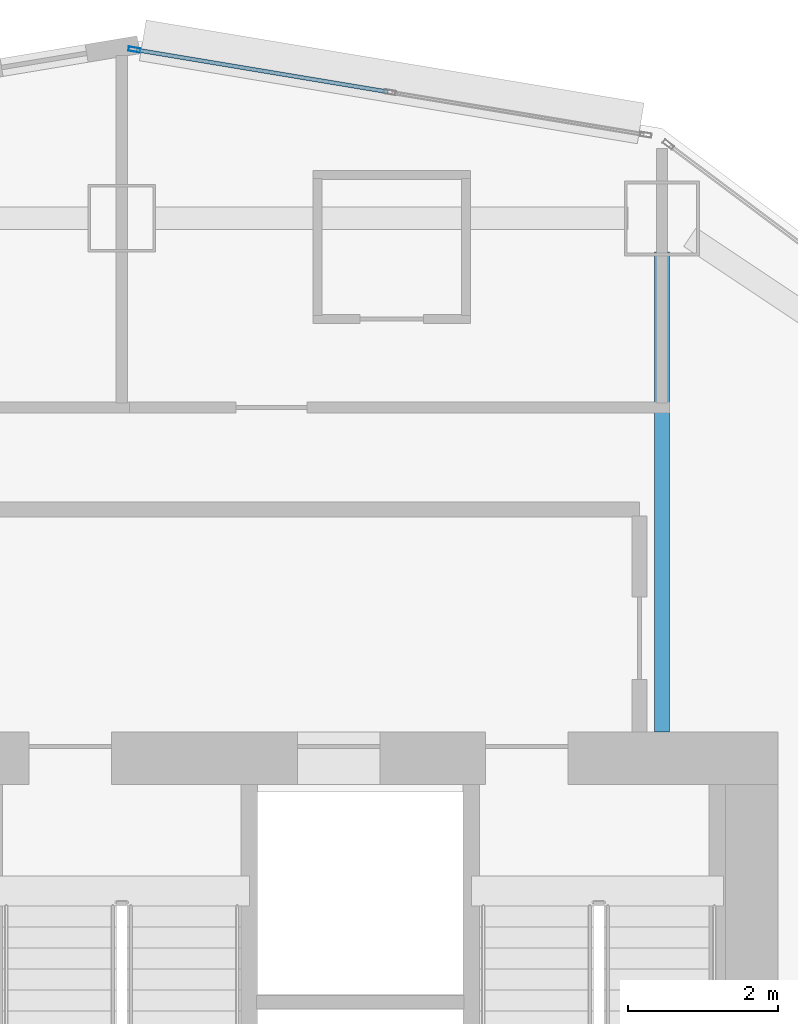
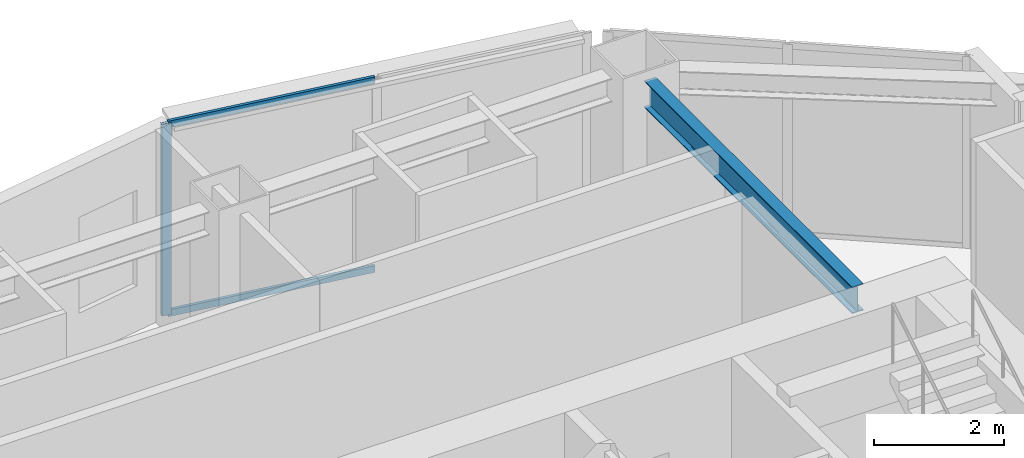
# One storey, part 2 of 14: 3 members, 1 beam, 1 element without a shape of its own.
"""IFC4 building model written with IfcOpenShell, lengths in metres."""

from ifc_helpers import new_model, si_unit, direction, frame, origin, origin_2d, place, context, subcontext, project, spatial, hollow_rectangle, i_section, extrude, material, layer, layer_set, material_profile, profile_set, type_object, element, aggregate, save


model = new_model("IFC4")

# Units and contexts
model_context = context("Model", 3, precision=1e-05, world=origin(), true_north=direction((0.0, 1.0)))
body_context = subcontext(model_context, "Body", "Model", "MODEL_VIEW")
ifc_project = project(units=[si_unit("LENGTHUNIT", "METRE"), si_unit("AREAUNIT", "SQUARE_METRE"), si_unit("VOLUMEUNIT", "CUBIC_METRE"), si_unit("PLANEANGLEUNIT", "RADIAN"), si_unit("MASSUNIT", "GRAM", prefix="KILO")], contexts=[model_context])

# Site, building, storey
site_placement = place(None, origin())
site = spatial("IfcSite", under=ifc_project, at=site_placement, CompositionType="ELEMENT")
building_placement = place(site_placement, origin())
building = spatial("IfcBuilding", under=site, at=building_placement, Name="Haolan Belvedere Tower", CompositionType="ELEMENT")
storey_placement = place(building_placement, frame((0.0, 0.0, 144.800048828125)))
storey = spatial("IfcBuildingStorey", under=building, at=storey_placement, Name="L36", CompositionType="ELEMENT", Elevation=144.800048828125)

# Beam
ifc_material_1 = material(Name="Steel Q355B", Category="steel")
ifc_material_profile_1 = material_profile(ifc_material_1, i_section(OverallWidth=0.199951171875, OverallDepth=0.5, WebThickness=0.010009765625, FlangeThickness=0.01611328125, FilletRadius=0.02001953125, at=origin_2d()), Name="Steel Q355B")
ifc_profile_set_1 = profile_set([ifc_material_profile_1], Name="Steel Q355B")
beam_type = type_object("IfcBeamType", Name="BM-HN500x200x10x16", PredefinedType="BEAM", material=ifc_profile_set_1)
beam_placement = place(storey_placement, frame((45.60009765625, 49.949951171875, 3.349853515625), z_axis=(0.0, -1.0, 0.0), x_axis=(1.0, 0.0, 0.0)))
element("IfcBeam", 1, at=beam_placement, inside=storey, type_object=beam_type, Name="L36 core tie beam from MC-T3-N2", PredefinedType="BEAM", context=body_context, shape_type="SweptSolid", body=[
    extrude(i_section(OverallWidth=0.199951171875, OverallDepth=0.5, WebThickness=0.010009765625, FlangeThickness=0.01611328125, FilletRadius=0.02001953125, at=origin_2d()), origin(), (0.0, 0.0, 1.0), 6.39990234375),
])

# Curtain wall, members
ifc_material_2 = material(Name="Anodised champagne-silver aluminium 6063-T6 and Low-E glass", Category="aluminium")
ifc_layer = layer(ifc_material_2, 0.155029296875, Name="Anodised champagne-silver aluminium 6063-T6 and Low-E glass")
ifc_layer_set = layer_set([ifc_layer], Name="Anodised champagne-silver aluminium 6063-T6 and Low-E glass")
curtain_wall_type = type_object("IfcCurtainWallType", Name="CW-SYS-03", PredefinedType="NOTDEFINED", material=ifc_layer_set)
curtain_wall_placement = place(storey_placement, origin())
curtain_wall = element("IfcCurtainWall", 2, at=curtain_wall_placement, inside=storey, type_object=curtain_wall_type, Name="L36 CW-SYS-03 ribbon curtain wall 27.1", PredefinedType="NOTDEFINED")
ifc_material_3 = material(Name="Anodised aluminium 6063-T6", Category="aluminium")
ifc_material_profile_2 = material_profile(ifc_material_3, hollow_rectangle(XDim=0.05810546875, YDim=0.155029296875, WallThickness=0.00390625, at=origin_2d()), Name="Anodised aluminium 6063-T6")
ifc_profile_set_2 = profile_set([ifc_material_profile_2], Name="Anodised aluminium 6063-T6")
member_type_1 = type_object("IfcMemberType", Name="CW-SYS-03-MUL", PredefinedType="MULLION", material=ifc_profile_set_2)
member_1_placement = place(storey_placement, frame((38.566650390625, 52.650634765625, 0.0), z_axis=(0.0, 0.0, 1.0), x_axis=(-0.16440364043, -0.9863931483, 0.0)))
member_1 = element("IfcMember", 3, at=member_1_placement, type_object=member_type_1, Name="CW-03 mullion 3", PredefinedType="MULLION", context=body_context, shape_type="SweptSolid", body=[
    extrude(hollow_rectangle(XDim=0.05810546875, YDim=0.155029296875, WallThickness=0.00390625, at=origin_2d()), origin(), (0.0, 0.0, 1.0), 3.599853515625),
])
ifc_material_profile_3 = material_profile(ifc_material_3, hollow_rectangle(XDim=0.053955078125, YDim=0.125, WallThickness=0.00390625, at=origin_2d()), Name="Anodised aluminium 6063-T6")
ifc_profile_set_3 = profile_set([ifc_material_profile_3], Name="Anodised aluminium 6063-T6")
member_type_2 = type_object("IfcMemberType", Name="CW-SYS-03-TRN", PredefinedType="USERDEFINED", material=ifc_profile_set_3)
member_2_placement = place(storey_placement, frame((41.947021484375, 52.087158203125, 0.02685546875), z_axis=(-0.986395865591, 0.16438733633, 0.0), x_axis=(-0.16438733633, -0.986395865591, 0.0)))
member_2 = element("IfcMember", 4, at=member_2_placement, type_object=member_type_2, Name="CW-03 transom 2.1", ObjectType="TRANSOM", PredefinedType="USERDEFINED", context=body_context, shape_type="SweptSolid", body=[
    extrude(hollow_rectangle(XDim=0.053955078125, YDim=0.125, WallThickness=0.00390625, at=origin_2d()), origin(), (0.0, 0.0, 1.0), 3.39794921875),
])
member_3_placement = place(storey_placement, frame((41.947021484375, 52.087158203125, 3.572998046875), z_axis=(-0.986395865591, 0.16438733633, 0.0), x_axis=(-0.16438733633, -0.986395865591, 0.0)))
member_3 = element("IfcMember", 5, at=member_3_placement, type_object=member_type_2, Name="CW-03 transom 2.2", ObjectType="TRANSOM", PredefinedType="USERDEFINED", context=body_context, shape_type="SweptSolid", body=[
    extrude(hollow_rectangle(XDim=0.053955078125, YDim=0.125, WallThickness=0.00390625, at=origin_2d()), origin(), (0.0, 0.0, 1.0), 3.39794921875),
])
aggregate(curtain_wall, [member_1, member_2, member_3])

save(model, "model.ifc")
